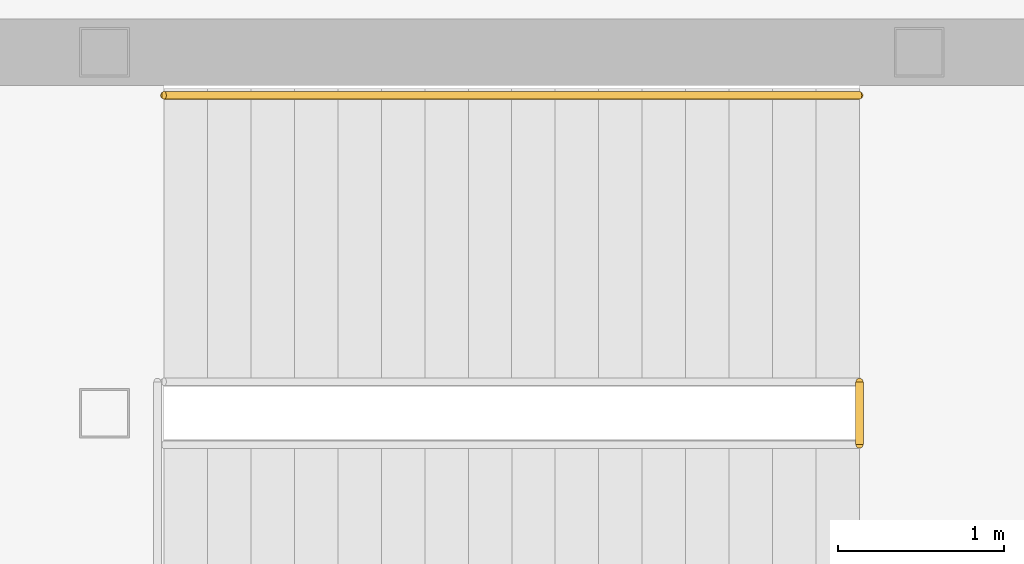
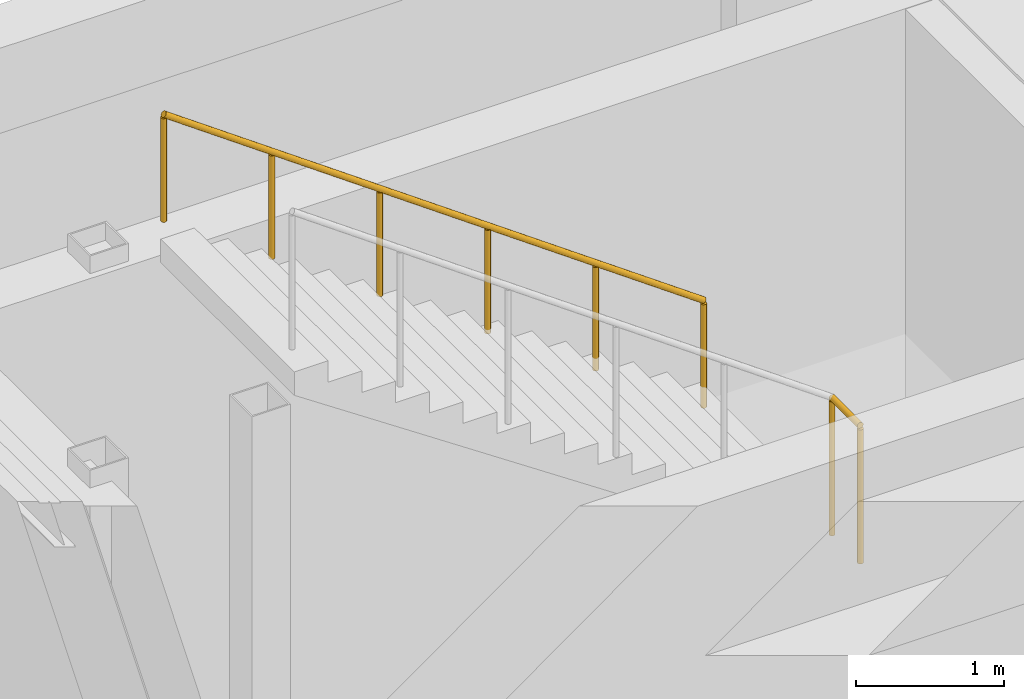
# One storey, part 74 of 76: 2 railings.
"""IFC4 building model written with IfcOpenShell, lengths in metres."""

from ifc_helpers import new_model, si_unit, direction, frame, origin, origin_2d, place, context, subcontext, project, spatial, circle, extrude, material, layer, layer_set, type_object, element, save


model = new_model("IFC4")

# Units and contexts
model_context = context("Model", 3, precision=1e-05, world=origin(), true_north=direction((0.0, 1.0)))
body_context = subcontext(model_context, "Body", "Model", "MODEL_VIEW")
ifc_project = project(units=[si_unit("LENGTHUNIT", "METRE"), si_unit("AREAUNIT", "SQUARE_METRE"), si_unit("VOLUMEUNIT", "CUBIC_METRE"), si_unit("PLANEANGLEUNIT", "RADIAN"), si_unit("MASSUNIT", "GRAM", prefix="KILO")], contexts=[model_context])

# Site, building, storey
site_placement = place(None, origin())
site = spatial("IfcSite", under=ifc_project, at=site_placement, CompositionType="ELEMENT")
building_placement = place(site_placement, origin())
building = spatial("IfcBuilding", under=site, at=building_placement, Name="Naruveol Harbour Congress Hotel", CompositionType="ELEMENT")
storey_placement = place(building_placement, origin())
storey = spatial("IfcBuildingStorey", under=building, at=storey_placement, Name="L00", CompositionType="ELEMENT", Elevation=0.0)

# Railings
ifc_material_1 = material(Name="Stainless Steel 304", Category="steel")
ifc_layer_1 = layer(ifc_material_1, 0.0419921875)
ifc_layer_set_1 = layer_set([ifc_layer_1], Name="Stainless Steel 304")
railing_type_1 = type_object("IfcRailingType", Name="STAIR WALL MOUNTED HANDRAIL 900", PredefinedType="HANDRAIL", material=ifc_layer_set_1)
railing_1_placement = place(storey_placement, frame((73.5, 109.10009765625, 3.0)))
element("IfcRailing", 1, at=railing_1_placement, inside=storey, type_object=railing_type_1, Name="Stair ST8 L00 upper wall handrail", PredefinedType="HANDRAIL", context=body_context, shape_type="SweptSolid", body=[
    extrude(circle(Radius=0.02392578125, at=origin_2d()), frame((0.0, 0.0, 0.8759765625), z_axis=(-0.813730275137, 0.0, 0.581242668191), x_axis=(0.0, -1.0, 0.0)), (0.0, 0.0, 1.0), 5.161376953125),
    extrude(circle(Radius=0.02099609375, at=origin_2d()), origin(), (0.0, 0.0, 1.0), 0.851806640625),
    extrude(circle(Radius=0.02099609375, at=origin_2d()), frame((-0.840087890625, 0.0, 0.60009765625)), (0.0, 0.0, 1.0), 0.851806640625),
    extrude(circle(Radius=0.02099609375, at=origin_2d()), frame((-1.679931640625, 0.0, 1.199951171875)), (0.0, 0.0, 1.0), 0.851806640625),
    extrude(circle(Radius=0.02099609375, at=origin_2d()), frame((-2.52001953125, 0.0, 1.800048828125)), (0.0, 0.0, 1.0), 0.851806640625),
    extrude(circle(Radius=0.02099609375, at=origin_2d()), frame((-3.35986328125, 0.0, 2.39990234375)), (0.0, 0.0, 1.0), 0.851806640625),
    extrude(circle(Radius=0.02099609375, at=origin_2d()), frame((-4.199951171875, 0.0, 3.0)), (0.0, 0.0, 1.0), 0.851806640625),
])
ifc_material_2 = material(Name="Steel SN490", Category="steel")
ifc_layer_2 = layer(ifc_material_2, 0.044921875)
ifc_layer_set_2 = layer_set([ifc_layer_2], Name="Steel SN490")
railing_type_2 = type_object("IfcRailingType", Name="STAIRWELL STEEL GUARDRAIL 1150", PredefinedType="GUARDRAIL", material=ifc_layer_set_2)
railing_2_placement = place(storey_placement, frame((73.5, 106.989990234375, 3.0)))
element("IfcRailing", 2, at=railing_2_placement, inside=storey, type_object=railing_type_2, Name="Stair ST8 L00 half-landing slot guard", PredefinedType="GUARDRAIL", context=body_context, shape_type="SweptSolid", body=[
    extrude(circle(Radius=0.02392578125, at=origin_2d()), frame((0.0, 0.0, 1.1259765625), z_axis=(0.0, 1.0, 0.0), x_axis=(-1.0, 0.0, 0.0)), (0.0, 0.0, 1.0), 0.380126953125),
    extrude(circle(Radius=0.02099609375, at=origin_2d()), origin(), (0.0, 0.0, 1.0), 1.101806640625),
    extrude(circle(Radius=0.02099609375, at=origin_2d()), frame((0.0, 0.380126953125, 0.0)), (0.0, 0.0, 1.0), 1.101806640625),
])

save(model, "model.ifc")
